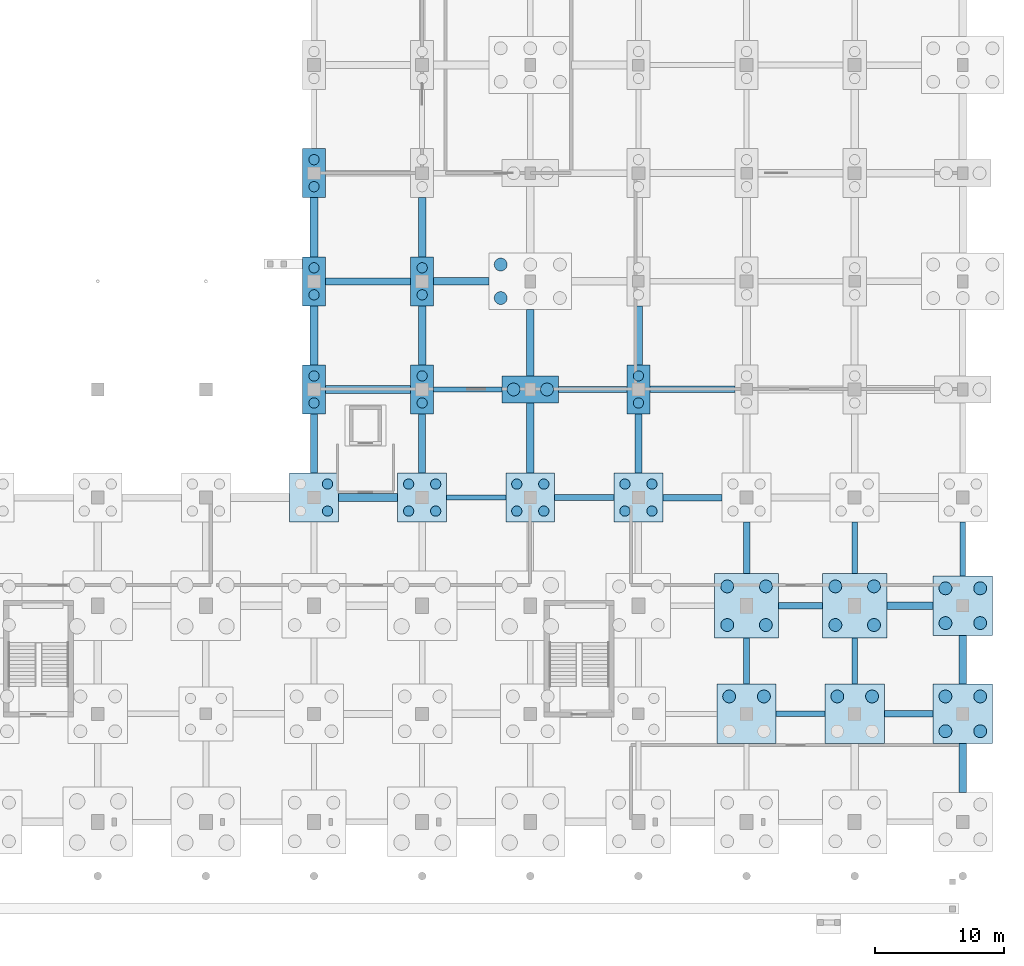
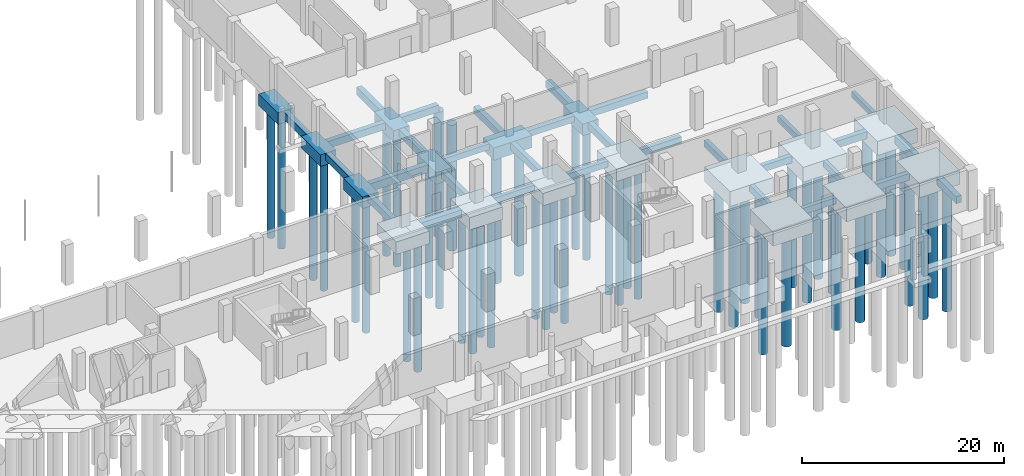
# One storey, part 6 of 39: 50 piles, 48 footings.
"""IFC4 building model written with IfcOpenShell, lengths in metres."""

from ifc_helpers import new_model, si_unit, derived_unit, direction, frame, origin, origin_2d, place, context, subcontext, project, spatial, polyline, rectangle, circle, outline, extrude, material, material_profile, profile_set, type_object, element, save


model = new_model("IFC4")

# Units and contexts
model_context = context("Model", 3, precision=1e-05, world=origin(), true_north=direction((0.0, 1.0)))
body_context = subcontext(model_context, "Body", "Model", "MODEL_VIEW")
ifc_project = project(units=[si_unit("LENGTHUNIT", "METRE"), si_unit("AREAUNIT", "SQUARE_METRE"), si_unit("VOLUMEUNIT", "CUBIC_METRE"), si_unit("PLANEANGLEUNIT", "RADIAN"), si_unit("MASSUNIT", "GRAM", prefix="KILO"), derived_unit("THERMALTRANSMITTANCEUNIT", [(si_unit("POWERUNIT", "WATT"), 1), (si_unit("LENGTHUNIT", "METRE"), -2), (si_unit("THERMODYNAMICTEMPERATUREUNIT", "KELVIN"), -1)])], contexts=[model_context])

# Site, building, storey
site_placement = place(None, origin())
site = spatial("IfcSite", under=ifc_project, at=site_placement, CompositionType="ELEMENT")
building_placement = place(site_placement, origin())
building = spatial("IfcBuilding", under=site, at=building_placement, Name="Barrovel Congress Hotel", CompositionType="ELEMENT")
storey_placement = place(building_placement, frame((0.0, 0.0, -4.5)))
storey = spatial("IfcBuildingStorey", under=building, at=storey_placement, Name="B01", CompositionType="ELEMENT", Elevation=-4.5)

# Footings
ifc_material_1 = material(Name="Concrete C40", Category="concrete")
footing_type_1 = type_object("IfcFootingType", Name="CAP-PC-04", PredefinedType="PILE_CAP", material=ifc_material_1)
for number, where, z_axis, x_axis, name in (
    (1, (126.0, 37.800048828125, -1.760009765625), (0.0, 0.0, 1.0), (1.0, 0.0, 0.0), "CAP:B01:126.0:37.8"),
    (2, (126.0, 46.199951171875, -1.760009765625), (0.0, 0.0, 1.0), (1.0, 0.0, 0.0), "CAP:B01:126.0:46.2"),
    (3, (126.0, 54.60009765625, -1.760009765625), (0.0, 0.0, 1.0), (1.0, 0.0, 0.0), "CAP:B01:126.0:54.6"),
    (4, (134.39990234375, 37.800048828125, -1.760009765625), (0.0, 0.0, 1.0), (1.0, 0.0, 0.0), "CAP:B01:134.4:37.8"),
    (5, (134.39990234375, 46.199951171875, -1.760009765625), (0.0, 0.0, 1.0), (1.0, 0.0, 0.0), "CAP:B01:134.4:46.2"),
    (6, (151.199951171875, 37.800048828125, -1.760009765625), (0.0, 0.0, 1.0), (1.0, 0.0, 0.0), "CAP:B01:151.2:37.8"),
):
    element("IfcFooting", number, at=place(storey_placement, frame(where, z_axis=z_axis, x_axis=x_axis)), inside=storey, type_object=footing_type_1, Name=name, PredefinedType="PILE_CAP", context=body_context, shape_type="SweptSolid", body=[
        extrude(rectangle(XDim=1.800048828125, YDim=3.800048828125, at=origin_2d()), origin(), (0.0, 0.0, 1.0), 1.39990234375),
    ])
footing_type_2 = type_object("IfcFootingType", Name="CAP-PC-05", PredefinedType="PILE_CAP", material=ifc_material_1)
footing_1_placement = place(storey_placement, frame((142.800048828125, 37.800048828125, -1.860107421875), z_axis=(0.0, 0.0, 1.0), x_axis=(1.0, 0.0, 0.0)))
element("IfcFooting", 7, at=footing_1_placement, inside=storey, type_object=footing_type_2, Name="CAP:B01:142.8:37.8", PredefinedType="PILE_CAP", context=body_context, shape_type="SweptSolid", body=[
    extrude(rectangle(XDim=4.39990234375, YDim=2.10009765625, at=origin_2d()), origin(), (0.0, 0.0, 1.0), 1.5),
])
footing_type_3 = type_object("IfcFootingType", Name="CAP-PC-07", PredefinedType="PILE_CAP", material=ifc_material_1)
for number, where, z_axis, x_axis, name in (
    (8, (126.0, 29.39990234375, -1.860107421875), (0.0, 0.0, 1.0), (1.0, 0.0, 0.0), "CAP:B01:126.0:29.4"),
    (9, (134.39990234375, 29.39990234375, -1.860107421875), (0.0, 0.0, 1.0), (1.0, 0.0, 0.0), "CAP:B01:134.4:29.4"),
    (10, (142.800048828125, 29.39990234375, -1.860107421875), (0.0, 0.0, 1.0), (1.0, 0.0, 0.0), "CAP:B01:142.8:29.4"),
    (11, (151.199951171875, 29.39990234375, -1.860107421875), (0.0, 0.0, 1.0), (1.0, 0.0, 0.0), "CAP:B01:151.2:29.4"),
):
    element("IfcFooting", number, at=place(storey_placement, frame(where, z_axis=z_axis, x_axis=x_axis)), inside=storey, type_object=footing_type_3, Name=name, PredefinedType="PILE_CAP", context=body_context, shape_type="SweptSolid", body=[
        extrude(rectangle(XDim=3.800048828125, YDim=3.800048828125, at=origin_2d()), origin(), (0.0, 0.0, 1.0), 1.5),
    ])
footing_type_4 = type_object("IfcFootingType", Name="CAP-PC-09", PredefinedType="PILE_CAP", material=ifc_material_1)
for number, where, z_axis, x_axis, name in (
    (12, (159.60009765625, 12.60009765625, -2.06005859375), (0.0, 0.0, 1.0), (1.0, 0.0, 0.0), "CAP:B01:159.6:12.6"),
    (13, (168.0, 12.60009765625, -2.06005859375), (0.0, 0.0, 1.0), (1.0, 0.0, 0.0), "CAP:B01:168.0:12.6"),
    (14, (176.39990234375, 12.60009765625, -2.06005859375), (0.0, 0.0, 1.0), (1.0, 0.0, 0.0), "CAP:B01:176.4:12.6"),
    (15, (176.39990234375, 21.0, -2.06005859375), (0.0, 0.0, 1.0), (1.0, 0.0, 0.0), "CAP:B01:176.4:21.0"),
):
    element("IfcFooting", number, at=place(storey_placement, frame(where, z_axis=z_axis, x_axis=x_axis)), inside=storey, type_object=footing_type_4, Name=name, PredefinedType="PILE_CAP", context=body_context, shape_type="SweptSolid", body=[
        extrude(rectangle(XDim=4.60009765625, YDim=4.60009765625, at=origin_2d()), origin(), (0.0, 0.0, 1.0), 1.699951171875),
    ])
footing_type_5 = type_object("IfcFootingType", Name="CAP-PC-10", PredefinedType="PILE_CAP", material=ifc_material_1)
for number, where, z_axis, x_axis, name in (
    (16, (159.60009765625, 21.0, -2.16015625), (0.0, 0.0, 1.0), (1.0, 0.0, 0.0), "CAP:B01:159.6:21.0"),
    (17, (168.0, 21.0, -2.16015625), (0.0, 0.0, 1.0), (1.0, 0.0, 0.0), "CAP:B01:168.0:21.0"),
):
    element("IfcFooting", number, at=place(storey_placement, frame(where, z_axis=z_axis, x_axis=x_axis)), inside=storey, type_object=footing_type_5, Name=name, PredefinedType="PILE_CAP", context=body_context, shape_type="SweptSolid", body=[
        extrude(rectangle(XDim=5.0, YDim=5.0, at=origin_2d()), origin(), (0.0, 0.0, 1.0), 1.800048828125),
    ])
footing_type_6 = type_object("IfcFootingType", Name="FB-400x700", PredefinedType="FOOTING_BEAM", material=ifc_material_1)
footing_2_placement = place(storey_placement, frame((0.0, 0.0, -1.06005859375)))
element("IfcFooting", 18, at=footing_2_placement, inside=storey, type_object=footing_type_6, Name="FBX:B01:29.4:134.4-142.8", PredefinedType="FOOTING_BEAM", context=body_context, shape_type="SweptSolid", body=[
    extrude(outline(polyline([(136.300048828125, 29.199951171875), (140.89990234375, 29.199951171875), (140.89990234375, 29.60009765625), (136.300048828125, 29.60009765625), (136.300048828125, 29.199951171875)])), origin(), (0.0, 0.0, 1.0), 0.699951171875),
])
footing_3_placement = place(storey_placement, frame((0.0, 0.0, -1.06005859375)))
element("IfcFooting", 19, at=footing_3_placement, inside=storey, type_object=footing_type_6, Name="FBX:B01:37.8:134.4-142.8", PredefinedType="FOOTING_BEAM", context=body_context, shape_type="SweptSolid", body=[
    extrude(outline(polyline([(135.300048828125, 37.60009765625), (140.60009765625, 37.60009765625), (140.60009765625, 38.0), (135.300048828125, 38.0), (135.300048828125, 37.60009765625)])), origin(), (0.0, 0.0, 1.0), 0.699951171875),
])
footing_4_placement = place(storey_placement, frame((0.0, 0.0, -1.06005859375)))
element("IfcFooting", 20, at=footing_4_placement, inside=storey, type_object=footing_type_6, Name="FBY:B01:168.0:12.6-21.0", PredefinedType="FOOTING_BEAM", context=body_context, shape_type="SweptSolid", body=[
    extrude(outline(polyline([(167.800048828125, 14.89990234375), (168.199951171875, 14.89990234375), (168.199951171875, 18.5), (167.800048828125, 18.5), (167.800048828125, 14.89990234375)])), origin(), (0.0, 0.0, 1.0), 0.699951171875),
])
footing_5_placement = place(storey_placement, frame((0.0, 0.0, -1.06005859375)))
element("IfcFooting", 21, at=footing_5_placement, inside=storey, type_object=footing_type_6, Name="FBY:B01:176.4:21.0-29.4", PredefinedType="FOOTING_BEAM", context=body_context, shape_type="SweptSolid", body=[
    extrude(outline(polyline([(176.199951171875, 23.300048828125), (176.60009765625, 23.300048828125), (176.60009765625, 27.5), (176.199951171875, 27.5), (176.199951171875, 23.300048828125)])), origin(), (0.0, 0.0, 1.0), 0.699951171875),
])
footing_type_7 = type_object("IfcFootingType", Name="FB-450x750", PredefinedType="FOOTING_BEAM", material=ifc_material_1)
footing_6_placement = place(storey_placement, frame((0.0, 0.0, -1.110107421875)))
element("IfcFooting", 22, at=footing_6_placement, inside=storey, type_object=footing_type_7, Name="FBX:B01:12.6:159.6-168.0", PredefinedType="FOOTING_BEAM", context=body_context, shape_type="SweptSolid", body=[
    extrude(outline(polyline([(161.89990234375, 12.375), (165.699951171875, 12.375), (165.699951171875, 12.824951171875), (161.89990234375, 12.824951171875), (161.89990234375, 12.375)])), origin(), (0.0, 0.0, 1.0), 0.75),
])
footing_7_placement = place(storey_placement, frame((0.0, 0.0, -1.110107421875)))
element("IfcFooting", 23, at=footing_7_placement, inside=storey, type_object=footing_type_7, Name="FBX:B01:29.4:142.8-151.2", PredefinedType="FOOTING_BEAM", context=body_context, shape_type="SweptSolid", body=[
    extrude(outline(polyline([(144.699951171875, 29.175048828125), (149.300048828125, 29.175048828125), (149.300048828125, 29.625), (144.699951171875, 29.625), (144.699951171875, 29.175048828125)])), origin(), (0.0, 0.0, 1.0), 0.75),
])
footing_8_placement = place(storey_placement, frame((0.0, 0.0, -1.110107421875)))
element("IfcFooting", 24, at=footing_8_placement, inside=storey, type_object=footing_type_7, Name="FBX:B01:37.8:142.8-151.2", PredefinedType="FOOTING_BEAM", context=body_context, shape_type="SweptSolid", body=[
    extrude(outline(polyline([(145.0, 37.574951171875), (150.300048828125, 37.574951171875), (150.300048828125, 38.02490234375), (145.0, 38.02490234375), (145.0, 37.574951171875)])), origin(), (0.0, 0.0, 1.0), 0.75),
])
footing_9_placement = place(storey_placement, frame((0.0, 0.0, -1.110107421875)))
element("IfcFooting", 25, at=footing_9_placement, inside=storey, type_object=footing_type_7, Name="FBY:B01:159.6:12.6-21.0", PredefinedType="FOOTING_BEAM", context=body_context, shape_type="SweptSolid", body=[
    extrude(outline(polyline([(159.375, 14.89990234375), (159.824951171875, 14.89990234375), (159.824951171875, 18.5), (159.375, 18.5), (159.375, 14.89990234375)])), origin(), (0.0, 0.0, 1.0), 0.75),
])
footing_10_placement = place(storey_placement, frame((0.0, 0.0, -1.110107421875)))
element("IfcFooting", 26, at=footing_10_placement, inside=storey, type_object=footing_type_7, Name="FBY:B01:168.0:21.0-29.4", PredefinedType="FOOTING_BEAM", context=body_context, shape_type="SweptSolid", body=[
    extrude(outline(polyline([(167.77490234375, 23.5), (168.22509765625, 23.5), (168.22509765625, 27.5), (167.77490234375, 27.5), (167.77490234375, 23.5)])), origin(), (0.0, 0.0, 1.0), 0.75),
])
footing_type_8 = type_object("IfcFootingType", Name="FB-500x800", PredefinedType="FOOTING_BEAM", material=ifc_material_1)
footing_11_placement = place(storey_placement, frame((0.0, 0.0, -1.159912109375)))
element("IfcFooting", 27, at=footing_11_placement, inside=storey, type_object=footing_type_8, Name="FBX:B01:12.6:168.0-176.4", PredefinedType="FOOTING_BEAM", context=body_context, shape_type="SweptSolid", body=[
    extrude(outline(polyline([(170.300048828125, 12.35009765625), (174.10009765625, 12.35009765625), (174.10009765625, 12.85009765625), (170.300048828125, 12.85009765625), (170.300048828125, 12.35009765625)])), origin(), (0.0, 0.0, 1.0), 0.7998046875),
])
footing_12_placement = place(storey_placement, frame((0.0, 0.0, -1.159912109375)))
element("IfcFooting", 28, at=footing_12_placement, inside=storey, type_object=footing_type_8, Name="FBX:B01:21.0:159.6-168.0", PredefinedType="FOOTING_BEAM", context=body_context, shape_type="SweptSolid", body=[
    extrude(outline(polyline([(162.10009765625, 20.75), (165.5, 20.75), (165.5, 21.25), (162.10009765625, 21.25), (162.10009765625, 20.75)])), origin(), (0.0, 0.0, 1.0), 0.7998046875),
])
footing_13_placement = place(storey_placement, frame((0.0, 0.0, -1.159912109375)))
element("IfcFooting", 29, at=footing_13_placement, inside=storey, type_object=footing_type_8, Name="FBX:B01:29.4:151.2-159.6", PredefinedType="FOOTING_BEAM", context=body_context, shape_type="SweptSolid", body=[
    extrude(outline(polyline([(153.10009765625, 29.14990234375), (157.699951171875, 29.14990234375), (157.699951171875, 29.64990234375), (153.10009765625, 29.64990234375), (153.10009765625, 29.14990234375)])), origin(), (0.0, 0.0, 1.0), 0.7998046875),
])
footing_14_placement = place(storey_placement, frame((0.0, 0.0, -1.159912109375)))
element("IfcFooting", 30, at=footing_14_placement, inside=storey, type_object=footing_type_8, Name="FBX:B01:37.8:151.2-159.6", PredefinedType="FOOTING_BEAM", context=body_context, shape_type="SweptSolid", body=[
    extrude(outline(polyline([(152.10009765625, 37.550048828125), (158.699951171875, 37.550048828125), (158.699951171875, 38.050048828125), (152.10009765625, 38.050048828125), (152.10009765625, 37.550048828125)])), origin(), (0.0, 0.0, 1.0), 0.7998046875),
])
footing_15_placement = place(storey_placement, frame((0.0, 0.0, -1.159912109375)))
element("IfcFooting", 31, at=footing_15_placement, inside=storey, type_object=footing_type_8, Name="FBY:B01:159.6:21.0-29.4", PredefinedType="FOOTING_BEAM", context=body_context, shape_type="SweptSolid", body=[
    extrude(outline(polyline([(159.35009765625, 23.5), (159.85009765625, 23.5), (159.85009765625, 27.5), (159.35009765625, 27.5), (159.35009765625, 23.5)])), origin(), (0.0, 0.0, 1.0), 0.7998046875),
])
footing_type_9 = type_object("IfcFootingType", Name="FB-550x850", PredefinedType="FOOTING_BEAM", material=ifc_material_1)
footing_16_placement = place(storey_placement, frame((0.0, 0.0, -1.2099609375)))
element("IfcFooting", 32, at=footing_16_placement, inside=storey, type_object=footing_type_9, Name="FBX:B01:21.0:168.0-176.4", PredefinedType="FOOTING_BEAM", context=body_context, shape_type="SweptSolid", body=[
    extrude(outline(polyline([(170.5, 20.72509765625), (174.10009765625, 20.72509765625), (174.10009765625, 21.27490234375), (170.5, 21.27490234375), (170.5, 20.72509765625)])), origin(), (0.0, 0.0, 1.0), 0.849853515625),
])
footing_17_placement = place(storey_placement, frame((0.0, 0.0, -1.2099609375)))
element("IfcFooting", 33, at=footing_17_placement, inside=storey, type_object=footing_type_9, Name="FBX:B01:46.2:126.0-134.4", PredefinedType="FOOTING_BEAM", context=body_context, shape_type="SweptSolid", body=[
    extrude(outline(polyline([(126.89990234375, 45.925048828125), (133.5, 45.925048828125), (133.5, 46.47509765625), (126.89990234375, 46.47509765625), (126.89990234375, 45.925048828125)])), origin(), (0.0, 0.0, 1.0), 0.849853515625),
])
footing_18_placement = place(storey_placement, frame((0.0, 0.0, -1.2099609375)))
element("IfcFooting", 34, at=footing_18_placement, inside=storey, type_object=footing_type_9, Name="FBY:B01:126.0:29.4-37.8", PredefinedType="FOOTING_BEAM", context=body_context, shape_type="SweptSolid", body=[
    extrude(outline(polyline([(125.72509765625, 31.300048828125), (126.27490234375, 31.300048828125), (126.27490234375, 35.89990234375), (125.72509765625, 35.89990234375), (125.72509765625, 31.300048828125)])), origin(), (0.0, 0.0, 1.0), 0.849853515625),
])
footing_19_placement = place(storey_placement, frame((0.0, 0.0, -1.2099609375)))
element("IfcFooting", 35, at=footing_19_placement, inside=storey, type_object=footing_type_9, Name="FBY:B01:134.4:29.4-37.8", PredefinedType="FOOTING_BEAM", context=body_context, shape_type="SweptSolid", body=[
    extrude(outline(polyline([(134.125, 31.300048828125), (134.675048828125, 31.300048828125), (134.675048828125, 35.89990234375), (134.125, 35.89990234375), (134.125, 31.300048828125)])), origin(), (0.0, 0.0, 1.0), 0.849853515625),
])
footing_20_placement = place(storey_placement, frame((0.0, 0.0, -1.2099609375)))
element("IfcFooting", 36, at=footing_20_placement, inside=storey, type_object=footing_type_9, Name="FBY:B01:142.8:29.4-37.8", PredefinedType="FOOTING_BEAM", context=body_context, shape_type="SweptSolid", body=[
    extrude(outline(polyline([(142.52490234375, 31.300048828125), (143.074951171875, 31.300048828125), (143.074951171875, 36.75), (142.52490234375, 36.75), (142.52490234375, 31.300048828125)])), origin(), (0.0, 0.0, 1.0), 0.849853515625),
])
footing_21_placement = place(storey_placement, frame((0.0, 0.0, -1.2099609375)))
element("IfcFooting", 37, at=footing_21_placement, inside=storey, type_object=footing_type_9, Name="FBY:B01:151.2:29.4-37.8", PredefinedType="FOOTING_BEAM", context=body_context, shape_type="SweptSolid", body=[
    extrude(outline(polyline([(150.925048828125, 31.300048828125), (151.47509765625, 31.300048828125), (151.47509765625, 35.89990234375), (150.925048828125, 35.89990234375), (150.925048828125, 31.300048828125)])), origin(), (0.0, 0.0, 1.0), 0.849853515625),
])
footing_type_10 = type_object("IfcFootingType", Name="FB-600x850", PredefinedType="FOOTING_BEAM", material=ifc_material_1)
footing_22_placement = place(storey_placement, frame((0.0, 0.0, -1.2099609375)))
element("IfcFooting", 38, at=footing_22_placement, inside=storey, type_object=footing_type_10, Name="FBX:B01:46.2:134.4-142.8", PredefinedType="FOOTING_BEAM", context=body_context, shape_type="SweptSolid", body=[
    extrude(outline(polyline([(135.300048828125, 45.89990234375), (139.60009765625, 45.89990234375), (139.60009765625, 46.5), (135.300048828125, 46.5), (135.300048828125, 45.89990234375)])), origin(), (0.0, 0.0, 1.0), 0.849853515625),
])
footing_23_placement = place(storey_placement, frame((0.0, 0.0, -1.2099609375)))
element("IfcFooting", 39, at=footing_23_placement, inside=storey, type_object=footing_type_10, Name="FBY:B01:126.0:37.8-46.2", PredefinedType="FOOTING_BEAM", context=body_context, shape_type="SweptSolid", body=[
    extrude(outline(polyline([(125.699951171875, 39.699951171875), (126.300048828125, 39.699951171875), (126.300048828125, 44.300048828125), (125.699951171875, 44.300048828125), (125.699951171875, 39.699951171875)])), origin(), (0.0, 0.0, 1.0), 0.849853515625),
])
footing_24_placement = place(storey_placement, frame((0.0, 0.0, -1.2099609375)))
element("IfcFooting", 40, at=footing_24_placement, inside=storey, type_object=footing_type_10, Name="FBY:B01:134.4:37.8-46.2", PredefinedType="FOOTING_BEAM", context=body_context, shape_type="SweptSolid", body=[
    extrude(outline(polyline([(134.10009765625, 39.699951171875), (134.699951171875, 39.699951171875), (134.699951171875, 44.300048828125), (134.10009765625, 44.300048828125), (134.10009765625, 39.699951171875)])), origin(), (0.0, 0.0, 1.0), 0.849853515625),
])
footing_25_placement = place(storey_placement, frame((0.0, 0.0, -1.2099609375)))
element("IfcFooting", 41, at=footing_25_placement, inside=storey, type_object=footing_type_10, Name="FBY:B01:142.8:37.8-46.2", PredefinedType="FOOTING_BEAM", context=body_context, shape_type="SweptSolid", body=[
    extrude(outline(polyline([(142.5, 38.85009765625), (143.10009765625, 38.85009765625), (143.10009765625, 44.0), (142.5, 44.0), (142.5, 38.85009765625)])), origin(), (0.0, 0.0, 1.0), 0.849853515625),
])
footing_26_placement = place(storey_placement, frame((0.0, 0.0, -1.2099609375)))
element("IfcFooting", 42, at=footing_26_placement, inside=storey, type_object=footing_type_10, Name="FBY:B01:151.2:37.8-46.2", PredefinedType="FOOTING_BEAM", context=body_context, shape_type="SweptSolid", body=[
    extrude(outline(polyline([(150.89990234375, 39.699951171875), (151.5, 39.699951171875), (151.5, 44.300048828125), (150.89990234375, 44.300048828125), (150.89990234375, 39.699951171875)])), origin(), (0.0, 0.0, 1.0), 0.849853515625),
])
footing_27_placement = place(storey_placement, frame((0.0, 0.0, -1.2099609375)))
element("IfcFooting", 43, at=footing_27_placement, inside=storey, type_object=footing_type_10, Name="FBY:B01:176.4:4.2-12.6", PredefinedType="FOOTING_BEAM", context=body_context, shape_type="SweptSolid", body=[
    extrude(outline(polyline([(176.10009765625, 6.5), (176.699951171875, 6.5), (176.699951171875, 10.300048828125), (176.10009765625, 10.300048828125), (176.10009765625, 6.5)])), origin(), (0.0, 0.0, 1.0), 0.849853515625),
])
footing_type_11 = type_object("IfcFootingType", Name="FB-600x950", PredefinedType="FOOTING_BEAM", material=ifc_material_1)
footing_28_placement = place(storey_placement, frame((0.0, 0.0, -1.31005859375)))
element("IfcFooting", 44, at=footing_28_placement, inside=storey, type_object=footing_type_11, Name="FBX:B01:29.4:126.0-134.4", PredefinedType="FOOTING_BEAM", context=body_context, shape_type="SweptSolid", body=[
    extrude(outline(polyline([(127.89990234375, 29.10009765625), (132.5, 29.10009765625), (132.5, 29.699951171875), (127.89990234375, 29.699951171875), (127.89990234375, 29.10009765625)])), origin(), (0.0, 0.0, 1.0), 0.949951171875),
])
footing_29_placement = place(storey_placement, frame((0.0, 0.0, -1.31005859375)))
element("IfcFooting", 45, at=footing_29_placement, inside=storey, type_object=footing_type_11, Name="FBX:B01:37.8:126.0-134.4", PredefinedType="FOOTING_BEAM", context=body_context, shape_type="SweptSolid", body=[
    extrude(outline(polyline([(126.89990234375, 37.5), (133.5, 37.5), (133.5, 38.10009765625), (126.89990234375, 38.10009765625), (126.89990234375, 37.5)])), origin(), (0.0, 0.0, 1.0), 0.949951171875),
])
footing_30_placement = place(storey_placement, frame((0.0, 0.0, -1.31005859375)))
element("IfcFooting", 46, at=footing_30_placement, inside=storey, type_object=footing_type_11, Name="FBY:B01:126.0:46.2-54.6", PredefinedType="FOOTING_BEAM", context=body_context, shape_type="SweptSolid", body=[
    extrude(outline(polyline([(125.699951171875, 48.10009765625), (126.300048828125, 48.10009765625), (126.300048828125, 52.699951171875), (125.699951171875, 52.699951171875), (125.699951171875, 48.10009765625)])), origin(), (0.0, 0.0, 1.0), 0.949951171875),
])
footing_31_placement = place(storey_placement, frame((0.0, 0.0, -1.31005859375)))
element("IfcFooting", 47, at=footing_31_placement, inside=storey, type_object=footing_type_11, Name="FBY:B01:134.4:46.2-54.6", PredefinedType="FOOTING_BEAM", context=body_context, shape_type="SweptSolid", body=[
    extrude(outline(polyline([(134.10009765625, 48.10009765625), (134.699951171875, 48.10009765625), (134.699951171875, 52.699951171875), (134.10009765625, 52.699951171875), (134.10009765625, 48.10009765625)])), origin(), (0.0, 0.0, 1.0), 0.949951171875),
])
footing_32_placement = place(storey_placement, frame((0.0, 0.0, -1.31005859375)))
element("IfcFooting", 48, at=footing_32_placement, inside=storey, type_object=footing_type_11, Name="FBY:B01:176.4:12.6-21.0", PredefinedType="FOOTING_BEAM", context=body_context, shape_type="SweptSolid", body=[
    extrude(outline(polyline([(176.10009765625, 14.89990234375), (176.699951171875, 14.89990234375), (176.699951171875, 18.699951171875), (176.10009765625, 18.699951171875), (176.10009765625, 14.89990234375)])), origin(), (0.0, 0.0, 1.0), 0.949951171875),
])

# Piles
ifc_material_2 = material(Name="Concrete C35", Category="concrete")
ifc_material_profile_1 = material_profile(ifc_material_2, circle(Radius=0.5, at=origin_2d()), Name="BP-D1000")
ifc_profile_set_1 = profile_set([ifc_material_profile_1], Name="Concrete C35")
pile_type_1 = type_object("IfcPileType", Name="PILE-BP-D1000", PredefinedType="BORED", material=ifc_profile_set_1)
for number, where, z_axis, x_axis, name in (
    (49, (141.5, 37.800048828125, -1.860107421875), (0.0, 0.0, -1.0), (1.0, 0.0, 0.0), "PILE:B01:142.8:37.8:1"),
    (50, (144.10009765625, 37.800048828125, -1.860107421875), (0.0, 0.0, -1.0), (1.0, 0.0, 0.0), "PILE:B01:142.8:37.8:2"),
):
    element("IfcPile", number, at=place(storey_placement, frame(where, z_axis=z_axis, x_axis=x_axis)), inside=storey, type_object=pile_type_1, Name=name, PredefinedType="BORED", context=body_context, shape_type="SweptSolid", body=[
        extrude(circle(Radius=0.5, at=origin_2d()), origin(), (0.0, 0.0, 1.0), 15.5400390625),
    ])
for number, where, z_axis, x_axis, name in (
    (51, (140.5, 44.89990234375, -2.159912109375), (0.0, 0.0, -1.0), (1.0, 0.0, 0.0), "PILE:B01:142.8:46.2:1"),
    (52, (140.5, 47.5, -2.159912109375), (0.0, 0.0, -1.0), (1.0, 0.0, 0.0), "PILE:B01:142.8:46.2:4"),
):
    element("IfcPile", number, at=place(storey_placement, frame(where, z_axis=z_axis, x_axis=x_axis)), inside=storey, type_object=pile_type_1, Name=name, PredefinedType="BORED", context=body_context, shape_type="SweptSolid", body=[
        extrude(circle(Radius=0.5, at=origin_2d()), origin(), (0.0, 0.0, 1.0), 15.239990234375),
    ])
for number, where, z_axis, x_axis, name in (
    (53, (158.25, 13.949951171875, -2.06005859375), (0.0, 0.0, -1.0), (1.0, 0.0, 0.0), "PILE:B01:159.6:12.6:3"),
    (54, (160.949951171875, 13.949951171875, -2.06005859375), (0.0, 0.0, -1.0), (1.0, 0.0, 0.0), "PILE:B01:159.6:12.6:4"),
):
    element("IfcPile", number, at=place(storey_placement, frame(where, z_axis=z_axis, x_axis=x_axis)), inside=storey, type_object=pile_type_1, Name=name, PredefinedType="BORED", context=body_context, shape_type="SweptSolid", body=[
        extrude(circle(Radius=0.5, at=origin_2d()), origin(), (0.0, 0.0, 1.0), 15.340087890625),
    ])
for number, where, z_axis, x_axis, name in (
    (55, (158.10009765625, 19.5, -2.159912109375), (0.0, 0.0, -1.0), (1.0, 0.0, 0.0), "PILE:B01:159.6:21.0:1"),
    (56, (161.10009765625, 19.5, -2.159912109375), (0.0, 0.0, -1.0), (1.0, 0.0, 0.0), "PILE:B01:159.6:21.0:2"),
    (57, (158.10009765625, 22.5, -2.159912109375), (0.0, 0.0, -1.0), (1.0, 0.0, 0.0), "PILE:B01:159.6:21.0:3"),
    (58, (161.10009765625, 22.5, -2.159912109375), (0.0, 0.0, -1.0), (1.0, 0.0, 0.0), "PILE:B01:159.6:21.0:4"),
):
    element("IfcPile", number, at=place(storey_placement, frame(where, z_axis=z_axis, x_axis=x_axis)), inside=storey, type_object=pile_type_1, Name=name, PredefinedType="BORED", context=body_context, shape_type="SweptSolid", body=[
        extrude(circle(Radius=0.5, at=origin_2d()), origin(), (0.0, 0.0, 1.0), 15.239990234375),
    ])
for number, where, z_axis, x_axis, name in (
    (59, (166.64990234375, 13.949951171875, -2.06005859375), (0.0, 0.0, -1.0), (1.0, 0.0, 0.0), "PILE:B01:168.0:12.6:3"),
    (60, (169.35009765625, 13.949951171875, -2.06005859375), (0.0, 0.0, -1.0), (1.0, 0.0, 0.0), "PILE:B01:168.0:12.6:4"),
):
    element("IfcPile", number, at=place(storey_placement, frame(where, z_axis=z_axis, x_axis=x_axis)), inside=storey, type_object=pile_type_1, Name=name, PredefinedType="BORED", context=body_context, shape_type="SweptSolid", body=[
        extrude(circle(Radius=0.5, at=origin_2d()), origin(), (0.0, 0.0, 1.0), 15.340087890625),
    ])
for number, where, z_axis, x_axis, name in (
    (61, (166.5, 19.5, -2.159912109375), (0.0, 0.0, -1.0), (1.0, 0.0, 0.0), "PILE:B01:168.0:21.0:1"),
    (62, (169.5, 19.5, -2.159912109375), (0.0, 0.0, -1.0), (1.0, 0.0, 0.0), "PILE:B01:168.0:21.0:2"),
    (63, (166.5, 22.5, -2.159912109375), (0.0, 0.0, -1.0), (1.0, 0.0, 0.0), "PILE:B01:168.0:21.0:3"),
    (64, (169.5, 22.5, -2.159912109375), (0.0, 0.0, -1.0), (1.0, 0.0, 0.0), "PILE:B01:168.0:21.0:4"),
):
    element("IfcPile", number, at=place(storey_placement, frame(where, z_axis=z_axis, x_axis=x_axis)), inside=storey, type_object=pile_type_1, Name=name, PredefinedType="BORED", context=body_context, shape_type="SweptSolid", body=[
        extrude(circle(Radius=0.5, at=origin_2d()), origin(), (0.0, 0.0, 1.0), 15.239990234375),
    ])
for number, where, z_axis, x_axis, name in (
    (65, (175.050048828125, 11.25, -2.06005859375), (0.0, 0.0, -1.0), (1.0, 0.0, 0.0), "PILE:B01:176.4:12.6:1"),
    (66, (177.75, 11.25, -2.06005859375), (0.0, 0.0, -1.0), (1.0, 0.0, 0.0), "PILE:B01:176.4:12.6:2"),
    (67, (175.050048828125, 13.949951171875, -2.06005859375), (0.0, 0.0, -1.0), (1.0, 0.0, 0.0), "PILE:B01:176.4:12.6:3"),
    (68, (177.75, 13.949951171875, -2.06005859375), (0.0, 0.0, -1.0), (1.0, 0.0, 0.0), "PILE:B01:176.4:12.6:4"),
    (69, (175.050048828125, 19.64990234375, -2.06005859375), (0.0, 0.0, -1.0), (1.0, 0.0, 0.0), "PILE:B01:176.4:21.0:1"),
    (70, (177.75, 19.64990234375, -2.06005859375), (0.0, 0.0, -1.0), (1.0, 0.0, 0.0), "PILE:B01:176.4:21.0:2"),
    (71, (175.050048828125, 22.35009765625, -2.06005859375), (0.0, 0.0, -1.0), (1.0, 0.0, 0.0), "PILE:B01:176.4:21.0:3"),
    (72, (177.75, 22.35009765625, -2.06005859375), (0.0, 0.0, -1.0), (1.0, 0.0, 0.0), "PILE:B01:176.4:21.0:4"),
):
    element("IfcPile", number, at=place(storey_placement, frame(where, z_axis=z_axis, x_axis=x_axis)), inside=storey, type_object=pile_type_1, Name=name, PredefinedType="BORED", context=body_context, shape_type="SweptSolid", body=[
        extrude(circle(Radius=0.5, at=origin_2d()), origin(), (0.0, 0.0, 1.0), 15.340087890625),
    ])
ifc_material_profile_2 = material_profile(ifc_material_2, circle(Radius=0.39990234375, at=origin_2d()), Name="BP-D800")
ifc_profile_set_2 = profile_set([ifc_material_profile_2], Name="Concrete C35")
pile_type_2 = type_object("IfcPileType", Name="PILE-BP-D800", PredefinedType="BORED", material=ifc_profile_set_2)
for number, where, z_axis, x_axis, name in (
    (73, (127.050048828125, 28.35009765625, -1.860107421875), (0.0, 0.0, -1.0), (1.0, 0.0, 0.0), "PILE:B01:126.0:29.4:2"),
    (74, (127.050048828125, 30.449951171875, -1.860107421875), (0.0, 0.0, -1.0), (1.0, 0.0, 0.0), "PILE:B01:126.0:29.4:4"),
):
    element("IfcPile", number, at=place(storey_placement, frame(where, z_axis=z_axis, x_axis=x_axis)), inside=storey, type_object=pile_type_2, Name=name, PredefinedType="BORED", context=body_context, shape_type="SweptSolid", body=[
        extrude(circle(Radius=0.39990234375, at=origin_2d()), origin(), (0.0, 0.0, 1.0), 15.5400390625),
    ])
for number, where, z_axis, x_axis, name in (
    (75, (126.0, 36.75, -1.760009765625), (0.0, 0.0, -1.0), (1.0, 0.0, 0.0), "PILE:B01:126.0:37.8:1"),
    (76, (126.0, 38.85009765625, -1.760009765625), (0.0, 0.0, -1.0), (1.0, 0.0, 0.0), "PILE:B01:126.0:37.8:2"),
    (77, (126.0, 45.14990234375, -1.760009765625), (0.0, 0.0, -1.0), (1.0, 0.0, 0.0), "PILE:B01:126.0:46.2:1"),
    (78, (126.0, 47.25, -1.760009765625), (0.0, 0.0, -1.0), (1.0, 0.0, 0.0), "PILE:B01:126.0:46.2:2"),
    (79, (126.0, 53.550048828125, -1.760009765625), (0.0, 0.0, -1.0), (1.0, 0.0, 0.0), "PILE:B01:126.0:54.6:1"),
    (80, (126.0, 55.64990234375, -1.760009765625), (0.0, 0.0, -1.0), (1.0, 0.0, 0.0), "PILE:B01:126.0:54.6:2"),
):
    element("IfcPile", number, at=place(storey_placement, frame(where, z_axis=z_axis, x_axis=x_axis)), inside=storey, type_object=pile_type_2, Name=name, PredefinedType="BORED", context=body_context, shape_type="SweptSolid", body=[
        extrude(circle(Radius=0.39990234375, at=origin_2d()), origin(), (0.0, 0.0, 1.0), 15.639892578125),
    ])
for number, where, z_axis, x_axis, name in (
    (81, (133.35009765625, 28.35009765625, -1.860107421875), (0.0, 0.0, -1.0), (1.0, 0.0, 0.0), "PILE:B01:134.4:29.4:1"),
    (82, (135.449951171875, 28.35009765625, -1.860107421875), (0.0, 0.0, -1.0), (1.0, 0.0, 0.0), "PILE:B01:134.4:29.4:2"),
    (83, (133.35009765625, 30.449951171875, -1.860107421875), (0.0, 0.0, -1.0), (1.0, 0.0, 0.0), "PILE:B01:134.4:29.4:3"),
    (84, (135.449951171875, 30.449951171875, -1.860107421875), (0.0, 0.0, -1.0), (1.0, 0.0, 0.0), "PILE:B01:134.4:29.4:4"),
):
    element("IfcPile", number, at=place(storey_placement, frame(where, z_axis=z_axis, x_axis=x_axis)), inside=storey, type_object=pile_type_2, Name=name, PredefinedType="BORED", context=body_context, shape_type="SweptSolid", body=[
        extrude(circle(Radius=0.39990234375, at=origin_2d()), origin(), (0.0, 0.0, 1.0), 15.5400390625),
    ])
for number, where, z_axis, x_axis, name in (
    (85, (134.39990234375, 36.75, -1.760009765625), (0.0, 0.0, -1.0), (1.0, 0.0, 0.0), "PILE:B01:134.4:37.8:1"),
    (86, (134.39990234375, 38.85009765625, -1.760009765625), (0.0, 0.0, -1.0), (1.0, 0.0, 0.0), "PILE:B01:134.4:37.8:2"),
    (87, (134.39990234375, 45.14990234375, -1.760009765625), (0.0, 0.0, -1.0), (1.0, 0.0, 0.0), "PILE:B01:134.4:46.2:1"),
    (88, (134.39990234375, 47.25, -1.760009765625), (0.0, 0.0, -1.0), (1.0, 0.0, 0.0), "PILE:B01:134.4:46.2:2"),
):
    element("IfcPile", number, at=place(storey_placement, frame(where, z_axis=z_axis, x_axis=x_axis)), inside=storey, type_object=pile_type_2, Name=name, PredefinedType="BORED", context=body_context, shape_type="SweptSolid", body=[
        extrude(circle(Radius=0.39990234375, at=origin_2d()), origin(), (0.0, 0.0, 1.0), 15.639892578125),
    ])
for number, where, z_axis, x_axis, name in (
    (89, (141.75, 28.35009765625, -1.860107421875), (0.0, 0.0, -1.0), (1.0, 0.0, 0.0), "PILE:B01:142.8:29.4:1"),
    (90, (143.85009765625, 28.35009765625, -1.860107421875), (0.0, 0.0, -1.0), (1.0, 0.0, 0.0), "PILE:B01:142.8:29.4:2"),
    (91, (141.75, 30.449951171875, -1.860107421875), (0.0, 0.0, -1.0), (1.0, 0.0, 0.0), "PILE:B01:142.8:29.4:3"),
    (92, (143.85009765625, 30.449951171875, -1.860107421875), (0.0, 0.0, -1.0), (1.0, 0.0, 0.0), "PILE:B01:142.8:29.4:4"),
    (93, (150.14990234375, 28.35009765625, -1.860107421875), (0.0, 0.0, -1.0), (1.0, 0.0, 0.0), "PILE:B01:151.2:29.4:1"),
    (94, (152.25, 28.35009765625, -1.860107421875), (0.0, 0.0, -1.0), (1.0, 0.0, 0.0), "PILE:B01:151.2:29.4:2"),
    (95, (150.14990234375, 30.449951171875, -1.860107421875), (0.0, 0.0, -1.0), (1.0, 0.0, 0.0), "PILE:B01:151.2:29.4:3"),
    (96, (152.25, 30.449951171875, -1.860107421875), (0.0, 0.0, -1.0), (1.0, 0.0, 0.0), "PILE:B01:151.2:29.4:4"),
):
    element("IfcPile", number, at=place(storey_placement, frame(where, z_axis=z_axis, x_axis=x_axis)), inside=storey, type_object=pile_type_2, Name=name, PredefinedType="BORED", context=body_context, shape_type="SweptSolid", body=[
        extrude(circle(Radius=0.39990234375, at=origin_2d()), origin(), (0.0, 0.0, 1.0), 15.5400390625),
    ])
for number, where, z_axis, x_axis, name in (
    (97, (151.199951171875, 36.75, -1.760009765625), (0.0, 0.0, -1.0), (1.0, 0.0, 0.0), "PILE:B01:151.2:37.8:1"),
    (98, (151.199951171875, 38.85009765625, -1.760009765625), (0.0, 0.0, -1.0), (1.0, 0.0, 0.0), "PILE:B01:151.2:37.8:2"),
):
    element("IfcPile", number, at=place(storey_placement, frame(where, z_axis=z_axis, x_axis=x_axis)), inside=storey, type_object=pile_type_2, Name=name, PredefinedType="BORED", context=body_context, shape_type="SweptSolid", body=[
        extrude(circle(Radius=0.39990234375, at=origin_2d()), origin(), (0.0, 0.0, 1.0), 15.639892578125),
    ])

save(model, "model.ifc")
